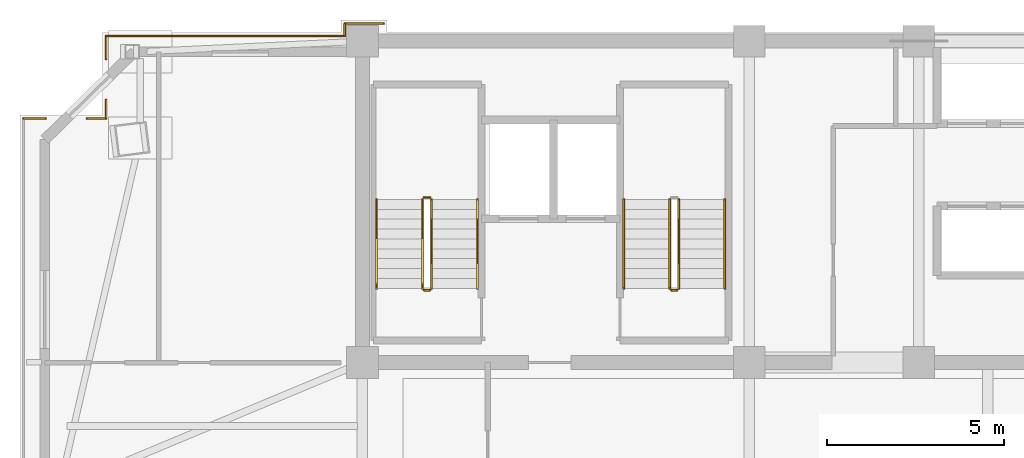
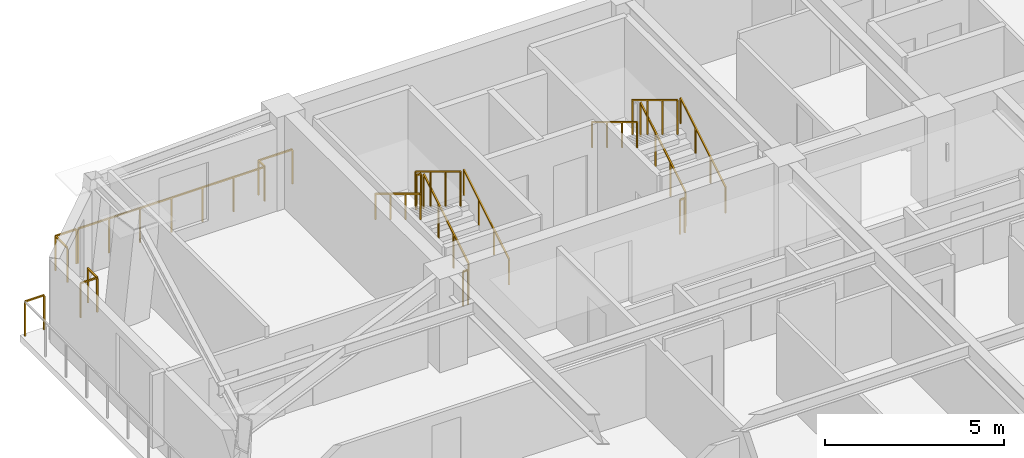
# One storey, part 12 of 14: 19 railings.
"""IFC4 building model written with IfcOpenShell, lengths in metres."""

from ifc_helpers import new_model, si_unit, direction, frame, origin, origin_2d, place, context, subcontext, project, spatial, rectangle, extrude, material, type_object, element, save


model = new_model("IFC4")

# Units and contexts
model_context = context("Model", 3, precision=1e-05, world=origin(), true_north=direction((0.0, 1.0)))
body_context = subcontext(model_context, "Body", "Model", "MODEL_VIEW")
ifc_project = project(units=[si_unit("LENGTHUNIT", "METRE"), si_unit("AREAUNIT", "SQUARE_METRE"), si_unit("VOLUMEUNIT", "CUBIC_METRE"), si_unit("PLANEANGLEUNIT", "RADIAN"), si_unit("MASSUNIT", "GRAM", prefix="KILO")], contexts=[model_context])

# Site, building, storey
site_placement = place(None, origin())
site = spatial("IfcSite", under=ifc_project, at=site_placement, CompositionType="ELEMENT")
building_placement = place(site_placement, origin())
building = spatial("IfcBuilding", under=site, at=building_placement, Name="Giltprow Tower", CompositionType="ELEMENT")
storey_placement = place(building_placement, frame((0.0, 0.0, 321.0)))
storey = spatial("IfcBuildingStorey", under=building, at=storey_placement, Name="L83", CompositionType="ELEMENT", Elevation=321.0)

# Railings
ifc_material = material(Name="Anodized bronze", Category="metal")
railing_type_1 = type_object("IfcRailingType", Name="RAIL-BALC-GUARD-1200", PredefinedType="BALUSTRADE", material=ifc_material)
railing_1_placement = place(storey_placement, frame((10.2548828125, 44.362060546875, 0.0)))
element("IfcRailing", 1, at=railing_1_placement, inside=storey, type_object=railing_type_1, Name="L83 Corner Apron Edge Balustrade 14", PredefinedType="BALUSTRADE", context=body_context, shape_type="SweptSolid", body=[
    extrude(rectangle(XDim=0.048095703125, YDim=0.048095703125, at=origin_2d()), frame((0.0, 0.0, 1.17578125), z_axis=(1.0, 0.0, 0.0), x_axis=(0.0, 1.0, 0.0)), (0.0, 0.0, 1.0), 0.626220703125),
    extrude(rectangle(XDim=0.0419921875, YDim=0.0419921875, at=origin_2d()), origin(), (0.0, 0.0, 1.0), 1.15185546875),
    extrude(rectangle(XDim=0.0419921875, YDim=0.0419921875, at=origin_2d()), frame((0.626220703125, 0.0, 0.0)), (0.0, 0.0, 1.0), 1.15185546875),
])
railing_2_placement = place(storey_placement, frame((12.052978515625, 44.362060546875, 0.0)))
element("IfcRailing", 2, at=railing_2_placement, inside=storey, type_object=railing_type_1, Name="L83 Corner Apron Edge Balustrade 15", PredefinedType="BALUSTRADE", context=body_context, shape_type="SweptSolid", body=[
    extrude(rectangle(XDim=0.048095703125, YDim=0.048095703125, at=origin_2d()), frame((0.0, 0.0, 1.17578125), z_axis=(1.0, 0.0, 0.0), x_axis=(0.0, 1.0, 0.0)), (0.0, 0.0, 1.0), 0.5400390625),
    extrude(rectangle(XDim=0.0419921875, YDim=0.0419921875, at=origin_2d()), origin(), (0.0, 0.0, 1.0), 1.15185546875),
    extrude(rectangle(XDim=0.0419921875, YDim=0.0419921875, at=origin_2d()), frame((0.5400390625, 0.0, 0.0)), (0.0, 0.0, 1.0), 1.15185546875),
])
railing_3_placement = place(storey_placement, frame((12.593017578125, 44.362060546875, 0.0)))
element("IfcRailing", 3, at=railing_3_placement, inside=storey, type_object=railing_type_1, Name="L83 Corner Apron Edge Balustrade 16", PredefinedType="BALUSTRADE", context=body_context, shape_type="SweptSolid", body=[
    extrude(rectangle(XDim=0.048095703125, YDim=0.048095703125, at=origin_2d()), frame((0.0, 0.0, 1.17578125), z_axis=(0.0, 1.0, 0.0), x_axis=(-1.0, 0.0, 0.0)), (0.0, 0.0, 1.0), 0.530029296875),
    extrude(rectangle(XDim=0.0419921875, YDim=0.0419921875, at=origin_2d()), origin(), (0.0, 0.0, 1.0), 1.15185546875),
    extrude(rectangle(XDim=0.0419921875, YDim=0.0419921875, at=origin_2d()), frame((0.0, 0.530029296875, 0.0)), (0.0, 0.0, 1.0), 1.15185546875),
])
railing_4_placement = place(storey_placement, frame((12.593017578125, 46.0400390625, 0.0)))
element("IfcRailing", 4, at=railing_4_placement, inside=storey, type_object=railing_type_1, Name="L83 Corner Apron Edge Balustrade 17", PredefinedType="BALUSTRADE", context=body_context, shape_type="SweptSolid", body=[
    extrude(rectangle(XDim=0.048095703125, YDim=0.048095703125, at=origin_2d()), frame((0.0, 0.0, 1.17578125), z_axis=(0.0, 1.0, 0.0), x_axis=(-1.0, 0.0, 0.0)), (0.0, 0.0, 1.0), 0.659912109375),
    extrude(rectangle(XDim=0.0419921875, YDim=0.0419921875, at=origin_2d()), origin(), (0.0, 0.0, 1.0), 1.15185546875),
    extrude(rectangle(XDim=0.0419921875, YDim=0.0419921875, at=origin_2d()), frame((0.0, 0.659912109375, 0.0)), (0.0, 0.0, 1.0), 1.15185546875),
])
railing_5_placement = place(storey_placement, frame((12.593017578125, 46.699951171875, 0.0)))
element("IfcRailing", 5, at=railing_5_placement, inside=storey, type_object=railing_type_1, Name="L83 Corner Apron Edge Balustrade 18", PredefinedType="BALUSTRADE", context=body_context, shape_type="SweptSolid", body=[
    extrude(rectangle(XDim=0.048095703125, YDim=0.048095703125, at=origin_2d()), frame((0.0, 0.0, 1.17578125), z_axis=(1.0, 0.0, 0.0), x_axis=(0.0, 1.0, 0.0)), (0.0, 0.0, 1.0), 0.673095703125),
    extrude(rectangle(XDim=0.0419921875, YDim=0.0419921875, at=origin_2d()), origin(), (0.0, 0.0, 1.0), 1.15185546875),
    extrude(rectangle(XDim=0.0419921875, YDim=0.0419921875, at=origin_2d()), frame((0.673095703125, 0.0, 0.0)), (0.0, 0.0, 1.0), 1.15185546875),
])
railing_6_placement = place(storey_placement, frame((13.31591796875, 46.699951171875, 0.0)))
element("IfcRailing", 6, at=railing_6_placement, inside=storey, type_object=railing_type_1, Name="L83 Corner Apron Edge Balustrade 19", PredefinedType="BALUSTRADE", context=body_context, shape_type="SweptSolid", body=[
    extrude(rectangle(XDim=0.048095703125, YDim=0.048095703125, at=origin_2d()), frame((0.0, 0.0, 1.17578125), z_axis=(1.0, 0.0, 0.0), x_axis=(0.0, 1.0, 0.0)), (0.0, 0.0, 1.0), 6.0341796875),
    extrude(rectangle(XDim=0.0419921875, YDim=0.0419921875, at=origin_2d()), origin(), (0.0, 0.0, 1.0), 1.15185546875),
    extrude(rectangle(XDim=0.0419921875, YDim=0.0419921875, at=origin_2d()), frame((1.005615234375, 0.0, 0.0)), (0.0, 0.0, 1.0), 1.15185546875),
    extrude(rectangle(XDim=0.0419921875, YDim=0.0419921875, at=origin_2d()), frame((2.011474609375, 0.0, 0.0)), (0.0, 0.0, 1.0), 1.15185546875),
    extrude(rectangle(XDim=0.0419921875, YDim=0.0419921875, at=origin_2d()), frame((3.01708984375, 0.0, 0.0)), (0.0, 0.0, 1.0), 1.15185546875),
    extrude(rectangle(XDim=0.0419921875, YDim=0.0419921875, at=origin_2d()), frame((4.022705078125, 0.0, 0.0)), (0.0, 0.0, 1.0), 1.15185546875),
    extrude(rectangle(XDim=0.0419921875, YDim=0.0419921875, at=origin_2d()), frame((5.028564453125, 0.0, 0.0)), (0.0, 0.0, 1.0), 1.15185546875),
    extrude(rectangle(XDim=0.0419921875, YDim=0.0419921875, at=origin_2d()), frame((6.0341796875, 0.0, 0.0)), (0.0, 0.0, 1.0), 1.15185546875),
])
railing_7_placement = place(storey_placement, frame((19.35009765625, 46.699951171875, 0.0)))
element("IfcRailing", 7, at=railing_7_placement, inside=storey, type_object=railing_type_1, Name="L83 Corner Apron Edge Balustrade 20", PredefinedType="BALUSTRADE", context=body_context, shape_type="SweptSolid", body=[
    extrude(rectangle(XDim=0.048095703125, YDim=0.048095703125, at=origin_2d()), frame((0.0, 0.0, 1.17578125), z_axis=(0.0, 1.0, 0.0), x_axis=(-1.0, 0.0, 0.0)), (0.0, 0.0, 1.0), 0.35009765625),
    extrude(rectangle(XDim=0.0419921875, YDim=0.0419921875, at=origin_2d()), origin(), (0.0, 0.0, 1.0), 1.15185546875),
    extrude(rectangle(XDim=0.0419921875, YDim=0.0419921875, at=origin_2d()), frame((0.0, 0.35009765625, 0.0)), (0.0, 0.0, 1.0), 1.15185546875),
])
railing_8_placement = place(storey_placement, frame((19.35009765625, 47.050048828125, 0.0)))
element("IfcRailing", 8, at=railing_8_placement, inside=storey, type_object=railing_type_1, Name="L83 Corner Apron Edge Balustrade 21", PredefinedType="BALUSTRADE", context=body_context, shape_type="SweptSolid", body=[
    extrude(rectangle(XDim=0.048095703125, YDim=0.048095703125, at=origin_2d()), frame((0.0, 0.0, 1.17578125), z_axis=(1.0, 0.0, 0.0), x_axis=(0.0, 1.0, 0.0)), (0.0, 0.0, 1.0), 1.099853515625),
    extrude(rectangle(XDim=0.0419921875, YDim=0.0419921875, at=origin_2d()), origin(), (0.0, 0.0, 1.0), 1.15185546875),
    extrude(rectangle(XDim=0.0419921875, YDim=0.0419921875, at=origin_2d()), frame((1.099853515625, 0.0, 0.0)), (0.0, 0.0, 1.0), 1.15185546875),
])
railing_type_2 = type_object("IfcRailingType", Name="RAIL-STAIR-GUARD-1200", PredefinedType="GUARDRAIL", material=ifc_material)
railing_9_placement = place(storey_placement, frame((21.81005859375, 39.550048828125, 0.169921875)))
element("IfcRailing", 9, at=railing_9_placement, inside=storey, type_object=railing_type_2, Name="L83 ST-1 stair guard 1", PredefinedType="GUARDRAIL", context=body_context, shape_type="SweptSolid", body=[
    extrude(rectangle(XDim=0.048095703125, YDim=0.048095703125, at=origin_2d()), frame((0.0, 0.0, 1.17578125), z_axis=(0.0, 0.85478489116, 0.518982456201), x_axis=(-1.0, 0.0, 0.0)), (0.0, 0.0, 1.0), 2.9482421875),
    extrude(rectangle(XDim=0.0419921875, YDim=0.0419921875, at=origin_2d()), origin(), (0.0, 0.0, 1.0), 1.15185546875),
    extrude(rectangle(XDim=0.0419921875, YDim=0.0419921875, at=origin_2d()), frame((0.0, 0.840087890625, 0.510009765625)), (0.0, 0.0, 1.0), 1.15185546875),
    extrude(rectangle(XDim=0.0419921875, YDim=0.0419921875, at=origin_2d()), frame((0.0, 1.679931640625, 1.02001953125)), (0.0, 0.0, 1.0), 1.15185546875),
    extrude(rectangle(XDim=0.0419921875, YDim=0.0419921875, at=origin_2d()), frame((0.0, 2.52001953125, 1.530029296875)), (0.0, 0.0, 1.0), 1.15185546875),
])
railing_10_placement = place(storey_placement, frame((21.760009765625, 42.1201171875, 1.699951171875)))
element("IfcRailing", 10, at=railing_10_placement, inside=storey, type_object=railing_type_2, Name="L83 ST-1 stair guard 2", PredefinedType="GUARDRAIL", context=body_context, shape_type="SweptSolid", body=[
    extrude(rectangle(XDim=0.048095703125, YDim=0.048095703125, at=origin_2d()), frame((0.0, 0.0, 1.17578125), z_axis=(-1.0, 0.0, 0.0), x_axis=(0.0, -1.0, 0.0)), (0.0, 0.0, 1.0), 0.159912109375),
    extrude(rectangle(XDim=0.0419921875, YDim=0.0419921875, at=origin_2d()), origin(), (0.0, 0.0, 1.0), 1.15185546875),
    extrude(rectangle(XDim=0.0419921875, YDim=0.0419921875, at=origin_2d()), frame((-0.159912109375, 0.0, 0.0)), (0.0, 0.0, 1.0), 1.15185546875),
])
railing_11_placement = place(storey_placement, frame((21.550048828125, 42.070068359375, 1.8701171875)))
element("IfcRailing", 11, at=railing_11_placement, inside=storey, type_object=railing_type_2, Name="L83 ST-1 stair guard 3", PredefinedType="GUARDRAIL", context=body_context, shape_type="SweptSolid", body=[
    extrude(rectangle(XDim=0.048095703125, YDim=0.048095703125, at=origin_2d()), frame((0.0, 0.0, 1.17578125), z_axis=(0.0, -0.854821627497, 0.518921945155), x_axis=(1.0, 0.0, 0.0)), (0.0, 0.0, 1.0), 2.947998046875),
    extrude(rectangle(XDim=0.0419921875, YDim=0.0419921875, at=origin_2d()), origin(), (0.0, 0.0, 1.0), 1.15185546875),
    extrude(rectangle(XDim=0.0419921875, YDim=0.0419921875, at=origin_2d()), frame((0.0, -0.840087890625, 0.510009765625)), (0.0, 0.0, 1.0), 1.15185546875),
    extrude(rectangle(XDim=0.0419921875, YDim=0.0419921875, at=origin_2d()), frame((0.0, -1.679931640625, 1.019775390625)), (0.0, 0.0, 1.0), 1.15185546875),
    extrude(rectangle(XDim=0.0419921875, YDim=0.0419921875, at=origin_2d()), frame((0.0, -2.52001953125, 1.52978515625)), (0.0, 0.0, 1.0), 1.15185546875),
])
railing_12_placement = place(storey_placement, frame((21.760009765625, 39.5, 0.0)))
element("IfcRailing", 12, at=railing_12_placement, inside=storey, type_object=railing_type_2, Name="L83 ST-1 stair guard 4", PredefinedType="GUARDRAIL", context=body_context, shape_type="SweptSolid", body=[
    extrude(rectangle(XDim=0.048095703125, YDim=0.048095703125, at=origin_2d()), frame((0.0, 0.0, 1.17578125), z_axis=(-1.0, 0.0, 0.0), x_axis=(0.0, -1.0, 0.0)), (0.0, 0.0, 1.0), 0.159912109375),
    extrude(rectangle(XDim=0.0419921875, YDim=0.0419921875, at=origin_2d()), origin(), (0.0, 0.0, 1.0), 1.15185546875),
    extrude(rectangle(XDim=0.0419921875, YDim=0.0419921875, at=origin_2d()), frame((-0.159912109375, 0.0, 0.0)), (0.0, 0.0, 1.0), 1.15185546875),
])
railing_13_placement = place(storey_placement, frame((28.81005859375, 39.550048828125, 0.169921875)))
element("IfcRailing", 13, at=railing_13_placement, inside=storey, type_object=railing_type_2, Name="L83 ST-2 stair guard 1", PredefinedType="GUARDRAIL", context=body_context, shape_type="SweptSolid", body=[
    extrude(rectangle(XDim=0.048095703125, YDim=0.048095703125, at=origin_2d()), frame((0.0, 0.0, 1.17578125), z_axis=(0.0, 0.85478489116, 0.518982456201), x_axis=(-1.0, 0.0, 0.0)), (0.0, 0.0, 1.0), 2.9482421875),
    extrude(rectangle(XDim=0.0419921875, YDim=0.0419921875, at=origin_2d()), origin(), (0.0, 0.0, 1.0), 1.15185546875),
    extrude(rectangle(XDim=0.0419921875, YDim=0.0419921875, at=origin_2d()), frame((0.0, 0.840087890625, 0.510009765625)), (0.0, 0.0, 1.0), 1.15185546875),
    extrude(rectangle(XDim=0.0419921875, YDim=0.0419921875, at=origin_2d()), frame((0.0, 1.679931640625, 1.02001953125)), (0.0, 0.0, 1.0), 1.15185546875),
    extrude(rectangle(XDim=0.0419921875, YDim=0.0419921875, at=origin_2d()), frame((0.0, 2.52001953125, 1.530029296875)), (0.0, 0.0, 1.0), 1.15185546875),
])
railing_14_placement = place(storey_placement, frame((28.550048828125, 42.070068359375, 1.8701171875)))
element("IfcRailing", 14, at=railing_14_placement, inside=storey, type_object=railing_type_2, Name="L83 ST-2 stair guard 3", PredefinedType="GUARDRAIL", context=body_context, shape_type="SweptSolid", body=[
    extrude(rectangle(XDim=0.048095703125, YDim=0.048095703125, at=origin_2d()), frame((0.0, 0.0, 1.17578125), z_axis=(0.0, -0.854821627497, 0.518921945155), x_axis=(1.0, 0.0, 0.0)), (0.0, 0.0, 1.0), 2.947998046875),
    extrude(rectangle(XDim=0.0419921875, YDim=0.0419921875, at=origin_2d()), origin(), (0.0, 0.0, 1.0), 1.15185546875),
    extrude(rectangle(XDim=0.0419921875, YDim=0.0419921875, at=origin_2d()), frame((0.0, -0.840087890625, 0.510009765625)), (0.0, 0.0, 1.0), 1.15185546875),
    extrude(rectangle(XDim=0.0419921875, YDim=0.0419921875, at=origin_2d()), frame((0.0, -1.679931640625, 1.019775390625)), (0.0, 0.0, 1.0), 1.15185546875),
    extrude(rectangle(XDim=0.0419921875, YDim=0.0419921875, at=origin_2d()), frame((0.0, -2.52001953125, 1.52978515625)), (0.0, 0.0, 1.0), 1.15185546875),
])
railing_15_placement = place(storey_placement, frame((28.760009765625, 39.5, 0.0)))
element("IfcRailing", 15, at=railing_15_placement, inside=storey, type_object=railing_type_2, Name="L83 ST-2 stair guard 4", PredefinedType="GUARDRAIL", context=body_context, shape_type="SweptSolid", body=[
    extrude(rectangle(XDim=0.048095703125, YDim=0.048095703125, at=origin_2d()), frame((0.0, 0.0, 1.17578125), z_axis=(-1.0, 0.0, 0.0), x_axis=(0.0, -1.0, 0.0)), (0.0, 0.0, 1.0), 0.159912109375),
    extrude(rectangle(XDim=0.0419921875, YDim=0.0419921875, at=origin_2d()), origin(), (0.0, 0.0, 1.0), 1.15185546875),
    extrude(rectangle(XDim=0.0419921875, YDim=0.0419921875, at=origin_2d()), frame((-0.159912109375, 0.0, 0.0)), (0.0, 0.0, 1.0), 1.15185546875),
])
railing_type_3 = type_object("IfcRailingType", Name="RAIL-STAIR-HAND-900", PredefinedType="HANDRAIL", material=ifc_material)
railing_16_placement = place(storey_placement, frame((23.110107421875, 39.550048828125, 0.169921875)))
element("IfcRailing", 16, at=railing_16_placement, inside=storey, type_object=railing_type_3, Name="L83 ST-1 stair handrail 1", PredefinedType="HANDRAIL", context=body_context, shape_type="SweptSolid", body=[
    extrude(rectangle(XDim=0.048095703125, YDim=0.048095703125, at=origin_2d()), frame((0.0, 0.0, 0.8759765625), z_axis=(0.0, 0.85478489116, 0.518982456201), x_axis=(-1.0, 0.0, 0.0)), (0.0, 0.0, 1.0), 2.9482421875),
    extrude(rectangle(XDim=0.0419921875, YDim=0.0419921875, at=origin_2d()), origin(), (0.0, 0.0, 1.0), 0.851806640625),
    extrude(rectangle(XDim=0.0419921875, YDim=0.0419921875, at=origin_2d()), frame((0.0, 0.840087890625, 0.510009765625)), (0.0, 0.0, 1.0), 0.851806640625),
    extrude(rectangle(XDim=0.0419921875, YDim=0.0419921875, at=origin_2d()), frame((0.0, 1.679931640625, 1.02001953125)), (0.0, 0.0, 1.0), 0.851806640625),
    extrude(rectangle(XDim=0.0419921875, YDim=0.0419921875, at=origin_2d()), frame((0.0, 2.52001953125, 1.530029296875)), (0.0, 0.0, 1.0), 0.851806640625),
])
railing_17_placement = place(storey_placement, frame((20.25, 42.070068359375, 1.8701171875)))
element("IfcRailing", 17, at=railing_17_placement, inside=storey, type_object=railing_type_3, Name="L83 ST-1 stair handrail 2", PredefinedType="HANDRAIL", context=body_context, shape_type="SweptSolid", body=[
    extrude(rectangle(XDim=0.048095703125, YDim=0.048095703125, at=origin_2d()), frame((0.0, 0.0, 0.8759765625), z_axis=(0.0, -0.854821627497, 0.518921945155), x_axis=(1.0, 0.0, 0.0)), (0.0, 0.0, 1.0), 2.947998046875),
    extrude(rectangle(XDim=0.0419921875, YDim=0.0419921875, at=origin_2d()), origin(), (0.0, 0.0, 1.0), 0.851806640625),
    extrude(rectangle(XDim=0.0419921875, YDim=0.0419921875, at=origin_2d()), frame((0.0, -0.840087890625, 0.510009765625)), (0.0, 0.0, 1.0), 0.851806640625),
    extrude(rectangle(XDim=0.0419921875, YDim=0.0419921875, at=origin_2d()), frame((0.0, -1.679931640625, 1.019775390625)), (0.0, 0.0, 1.0), 0.851806640625),
    extrude(rectangle(XDim=0.0419921875, YDim=0.0419921875, at=origin_2d()), frame((0.0, -2.52001953125, 1.52978515625)), (0.0, 0.0, 1.0), 0.851806640625),
])
railing_18_placement = place(storey_placement, frame((30.110107421875, 39.550048828125, 0.169921875)))
element("IfcRailing", 18, at=railing_18_placement, inside=storey, type_object=railing_type_3, Name="L83 ST-2 stair handrail 1", PredefinedType="HANDRAIL", context=body_context, shape_type="SweptSolid", body=[
    extrude(rectangle(XDim=0.048095703125, YDim=0.048095703125, at=origin_2d()), frame((0.0, 0.0, 0.8759765625), z_axis=(0.0, 0.85478489116, 0.518982456201), x_axis=(-1.0, 0.0, 0.0)), (0.0, 0.0, 1.0), 2.9482421875),
    extrude(rectangle(XDim=0.0419921875, YDim=0.0419921875, at=origin_2d()), origin(), (0.0, 0.0, 1.0), 0.851806640625),
    extrude(rectangle(XDim=0.0419921875, YDim=0.0419921875, at=origin_2d()), frame((0.0, 0.840087890625, 0.510009765625)), (0.0, 0.0, 1.0), 0.851806640625),
    extrude(rectangle(XDim=0.0419921875, YDim=0.0419921875, at=origin_2d()), frame((0.0, 1.679931640625, 1.02001953125)), (0.0, 0.0, 1.0), 0.851806640625),
    extrude(rectangle(XDim=0.0419921875, YDim=0.0419921875, at=origin_2d()), frame((0.0, 2.52001953125, 1.530029296875)), (0.0, 0.0, 1.0), 0.851806640625),
])
railing_19_placement = place(storey_placement, frame((27.25, 42.070068359375, 1.8701171875)))
element("IfcRailing", 19, at=railing_19_placement, inside=storey, type_object=railing_type_3, Name="L83 ST-2 stair handrail 2", PredefinedType="HANDRAIL", context=body_context, shape_type="SweptSolid", body=[
    extrude(rectangle(XDim=0.048095703125, YDim=0.048095703125, at=origin_2d()), frame((0.0, 0.0, 0.8759765625), z_axis=(0.0, -0.854821627497, 0.518921945155), x_axis=(1.0, 0.0, 0.0)), (0.0, 0.0, 1.0), 2.947998046875),
    extrude(rectangle(XDim=0.0419921875, YDim=0.0419921875, at=origin_2d()), origin(), (0.0, 0.0, 1.0), 0.851806640625),
    extrude(rectangle(XDim=0.0419921875, YDim=0.0419921875, at=origin_2d()), frame((0.0, -0.840087890625, 0.510009765625)), (0.0, 0.0, 1.0), 0.851806640625),
    extrude(rectangle(XDim=0.0419921875, YDim=0.0419921875, at=origin_2d()), frame((0.0, -1.679931640625, 1.019775390625)), (0.0, 0.0, 1.0), 0.851806640625),
    extrude(rectangle(XDim=0.0419921875, YDim=0.0419921875, at=origin_2d()), frame((0.0, -2.52001953125, 1.52978515625)), (0.0, 0.0, 1.0), 0.851806640625),
])

save(model, "model.ifc")
